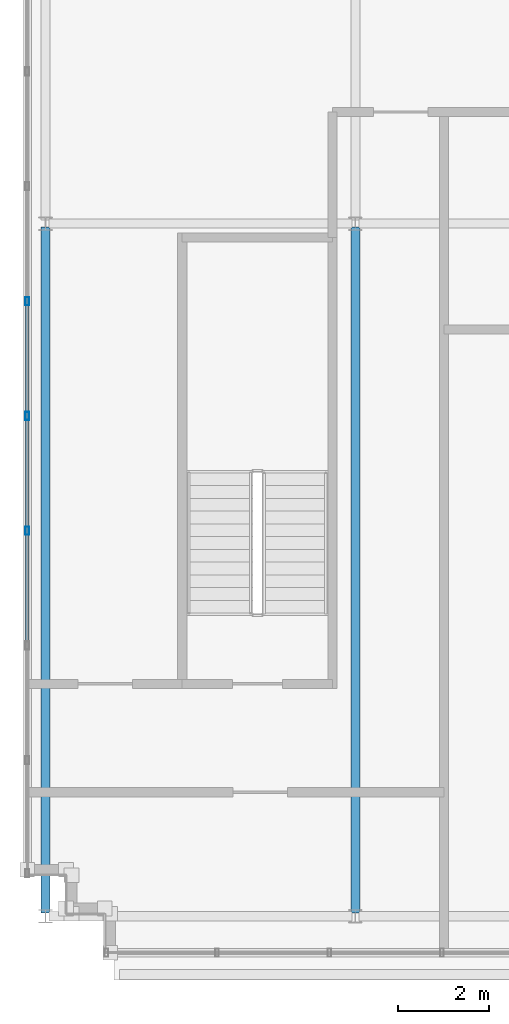
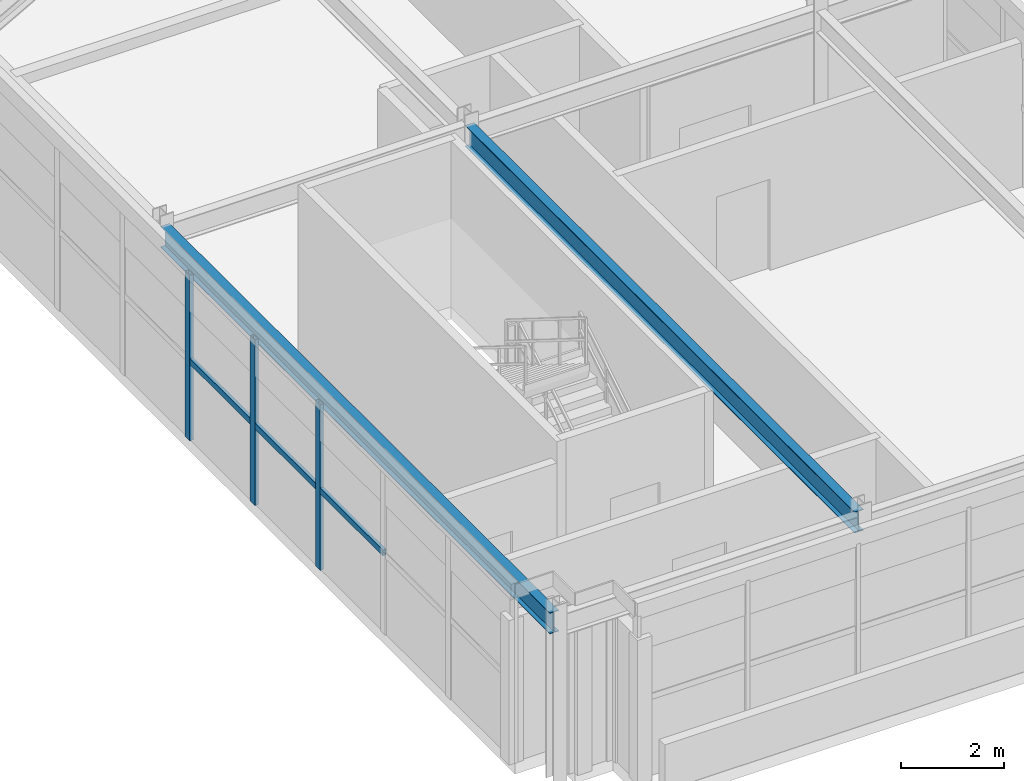
# One storey, part 5 of 25: 6 members, 2 beams, 1 element without a shape of its own.
"""IFC4 building model written with IfcOpenShell, lengths in metres."""

from ifc_helpers import new_model, si_unit, direction, frame, origin, origin_2d, place, context, subcontext, project, spatial, hollow_rectangle, i_section, extrude, source, transform, mapped, material, material_profile, profile_set, type_object, element, aggregate, save


model = new_model("IFC4")

# Units and contexts
model_context = context("Model", 3, precision=1e-05, world=origin(), true_north=direction((0.0, 1.0)))
body_context = subcontext(model_context, "Body", "Model", "MODEL_VIEW")
ifc_project = project(units=[si_unit("LENGTHUNIT", "METRE"), si_unit("AREAUNIT", "SQUARE_METRE"), si_unit("VOLUMEUNIT", "CUBIC_METRE"), si_unit("PLANEANGLEUNIT", "RADIAN"), si_unit("MASSUNIT", "GRAM", prefix="KILO")], contexts=[model_context])

# Site, building, storey
site_placement = place(None, origin())
site = spatial("IfcSite", under=ifc_project, at=site_placement, CompositionType="ELEMENT")
building_placement = place(site_placement, origin())
building = spatial("IfcBuilding", under=site, at=building_placement, Name="Trelvane Seafront Commons", CompositionType="ELEMENT")
storey_placement = place(building_placement, frame((0.0, 0.0, 316.699951171875)))
storey = spatial("IfcBuildingStorey", under=building, at=storey_placement, Name="L82", CompositionType="ELEMENT", Elevation=316.699951171875)

# Beams
ifc_material_1 = material(Name="Steel SM355 (S355)", Category="steel")
ifc_material_profile_1 = material_profile(ifc_material_1, i_section(OverallWidth=0.199951171875, OverallDepth=0.5, WebThickness=0.010009765625, FlangeThickness=0.01611328125, at=origin_2d()), Name="H-500x200x10x16")
ifc_profile_set_1 = profile_set([ifc_material_profile_1], Name="Steel SM355 (S355)")
beam_type = type_object("IfcBeamType", Name="STR-BM-H500", PredefinedType="BEAM", material=ifc_profile_set_1)
shared_shape_1 = source(origin(), body_context, "Body", "SweptSolid", [
    extrude(i_section(OverallWidth=0.199951171875, OverallDepth=0.5, WebThickness=0.010009765625, FlangeThickness=0.01611328125, at=origin_2d()), origin(), (0.0, 0.0, 1.0), 15.050048828125),
])
for number, where, z_axis, x_axis, name in (
    (1, (8.800048828125, 18.27490234375, 3.66015625), (0.0, 1.0, 0.0), (-1.0, 0.0, 0.0), "L82 Primary Girder G-13"),
    (2, (15.60009765625, 18.27490234375, 3.66015625), (0.0, 1.0, 0.0), (-1.0, 0.0, 0.0), "L82 Primary Girder G-15"),
):
    element("IfcBeam", number, at=place(storey_placement, frame(where, z_axis=z_axis, x_axis=x_axis)), inside=storey, type_object=beam_type, Name=name, PredefinedType="BEAM", context=body_context, shape_type="MappedRepresentation", body=[
        mapped(shared_shape_1, transform((0.0, 0.0, 0.0), x_axis=(1.0, 0.0, 0.0), y_axis=(0.0, 1.0, 0.0), z_axis=(0.0, 0.0, 1.0), scale=1.0)),
    ])

# Curtain wall, members
ifc_material_2 = material(Name="Anodised pale-silver aluminium", Category="aluminium")
curtain_wall_type = type_object("IfcCurtainWallType", Name="ARCH-CW6-CROWN", PredefinedType="NOTDEFINED", material=ifc_material_2)
curtain_wall_placement = place(storey_placement, origin())
curtain_wall = element("IfcCurtainWall", 3, at=curtain_wall_placement, inside=storey, type_object=curtain_wall_type, Name="CW-L82-0152", PredefinedType="NOTDEFINED")
ifc_material_profile_2 = material_profile(ifc_material_2, hollow_rectangle(XDim=0.080078125, YDim=0.179931640625, WallThickness=0.00439453125, at=origin_2d()), Name="MULL-80x180x4.5")
ifc_profile_set_2 = profile_set([ifc_material_profile_2], Name="Anodised pale-silver aluminium")
member_type_1 = type_object("IfcMemberType", Name="ARCH-CW-MULL-180", PredefinedType="MULLION", material=ifc_profile_set_2)
shared_shape_2 = source(origin(), body_context, "Body", "SweptSolid", [
    extrude(hollow_rectangle(XDim=0.080078125, YDim=0.179931640625, WallThickness=0.00439453125, at=origin_2d()), origin(), (0.0, 0.0, 1.0), 3.91015625),
])
member_1_placement = place(storey_placement, frame((8.39990234375, 26.659912109375, 0.0), z_axis=(0.0, 0.0, 1.0), x_axis=(1.0, 0.0, 0.0)))
member_1 = element("IfcMember", 4, at=member_1_placement, type_object=member_type_1, Name="CW-L82-0152-M03", PredefinedType="MULLION", context=body_context, shape_type="MappedRepresentation", body=[
    mapped(shared_shape_2, transform((0.0, 0.0, 0.0), x_axis=(1.0, 0.0, 0.0), y_axis=(0.0, 1.0, 0.0), z_axis=(0.0, 0.0, 1.0), scale=1.0)),
])
member_2_placement = place(storey_placement, frame((8.39990234375, 29.179931640625, 0.0), z_axis=(0.0, 0.0, 1.0), x_axis=(1.0, 0.0, 0.0)))
member_2 = element("IfcMember", 5, at=member_2_placement, type_object=member_type_1, Name="CW-L82-0152-M04", PredefinedType="MULLION", context=body_context, shape_type="MappedRepresentation", body=[
    mapped(shared_shape_2, transform((0.0, 0.0, 0.0), x_axis=(1.0, 0.0, 0.0), y_axis=(0.0, 1.0, 0.0), z_axis=(0.0, 0.0, 1.0), scale=1.0)),
])
member_3_placement = place(storey_placement, frame((8.39990234375, 31.699951171875, 0.0), z_axis=(0.0, 0.0, 1.0), x_axis=(1.0, 0.0, 0.0)))
member_3 = element("IfcMember", 6, at=member_3_placement, type_object=member_type_1, Name="CW-L82-0152-M05", PredefinedType="MULLION", context=body_context, shape_type="MappedRepresentation", body=[
    mapped(shared_shape_2, transform((0.0, 0.0, 0.0), x_axis=(1.0, 0.0, 0.0), y_axis=(0.0, 1.0, 0.0), z_axis=(0.0, 0.0, 1.0), scale=1.0)),
])
ifc_material_profile_3 = material_profile(ifc_material_2, hollow_rectangle(XDim=0.074951171875, YDim=0.139892578125, WallThickness=0.00390625, at=origin_2d()), Name="TRAN-75x140x4")
ifc_profile_set_3 = profile_set([ifc_material_profile_3], Name="Anodised pale-silver aluminium")
member_type_2 = type_object("IfcMemberType", Name="ARCH-CW-TRAN-140", PredefinedType="USERDEFINED", material=ifc_profile_set_3)
shared_shape_3 = source(origin(), body_context, "Body", "SweptSolid", [
    extrude(hollow_rectangle(XDim=0.074951171875, YDim=0.139892578125, WallThickness=0.00390625, at=origin_2d()), origin(), (0.0, 0.0, 1.0), 2.495849609375),
])
member_4_placement = place(storey_placement, frame((8.39990234375, 24.152099609375, 1.876953125), z_axis=(0.0, 1.0, 0.0), x_axis=(-1.0, 0.0, 0.0)))
member_4 = element("IfcMember", 7, at=member_4_placement, type_object=member_type_2, Name="CW-L82-0152-T02", ObjectType="TRANSOM", PredefinedType="USERDEFINED", context=body_context, shape_type="MappedRepresentation", body=[
    mapped(shared_shape_3, transform((0.0, 0.0, 0.0), x_axis=(1.0, 0.0, 0.0), y_axis=(0.0, 1.0, 0.0), z_axis=(0.0, 0.0, 1.0), scale=1.0)),
])
member_5_placement = place(storey_placement, frame((8.39990234375, 26.672119140625, 1.876953125), z_axis=(0.0, 1.0, 0.0), x_axis=(-1.0, 0.0, 0.0)))
member_5 = element("IfcMember", 8, at=member_5_placement, type_object=member_type_2, Name="CW-L82-0152-T03", ObjectType="TRANSOM", PredefinedType="USERDEFINED", context=body_context, shape_type="MappedRepresentation", body=[
    mapped(shared_shape_3, transform((0.0, 0.0, 0.0), x_axis=(1.0, 0.0, 0.0), y_axis=(0.0, 1.0, 0.0), z_axis=(0.0, 0.0, 1.0), scale=1.0)),
])
shared_shape_4 = source(origin(), body_context, "Body", "SweptSolid", [
    extrude(hollow_rectangle(XDim=0.074951171875, YDim=0.139892578125, WallThickness=0.00390625, at=origin_2d()), origin(), (0.0, 0.0, 1.0), 2.49609375),
])
member_6_placement = place(storey_placement, frame((8.39990234375, 29.19189453125, 1.876953125), z_axis=(0.0, 1.0, 0.0), x_axis=(-1.0, 0.0, 0.0)))
member_6 = element("IfcMember", 9, at=member_6_placement, type_object=member_type_2, Name="CW-L82-0152-T04", ObjectType="TRANSOM", PredefinedType="USERDEFINED", context=body_context, shape_type="MappedRepresentation", body=[
    mapped(shared_shape_4, transform((0.0, 0.0, 0.0), x_axis=(1.0, 0.0, 0.0), y_axis=(0.0, 1.0, 0.0), z_axis=(0.0, 0.0, 1.0), scale=1.0)),
])
aggregate(curtain_wall, [member_1, member_2, member_3, member_4, member_5, member_6])

save(model, "model.ifc")
